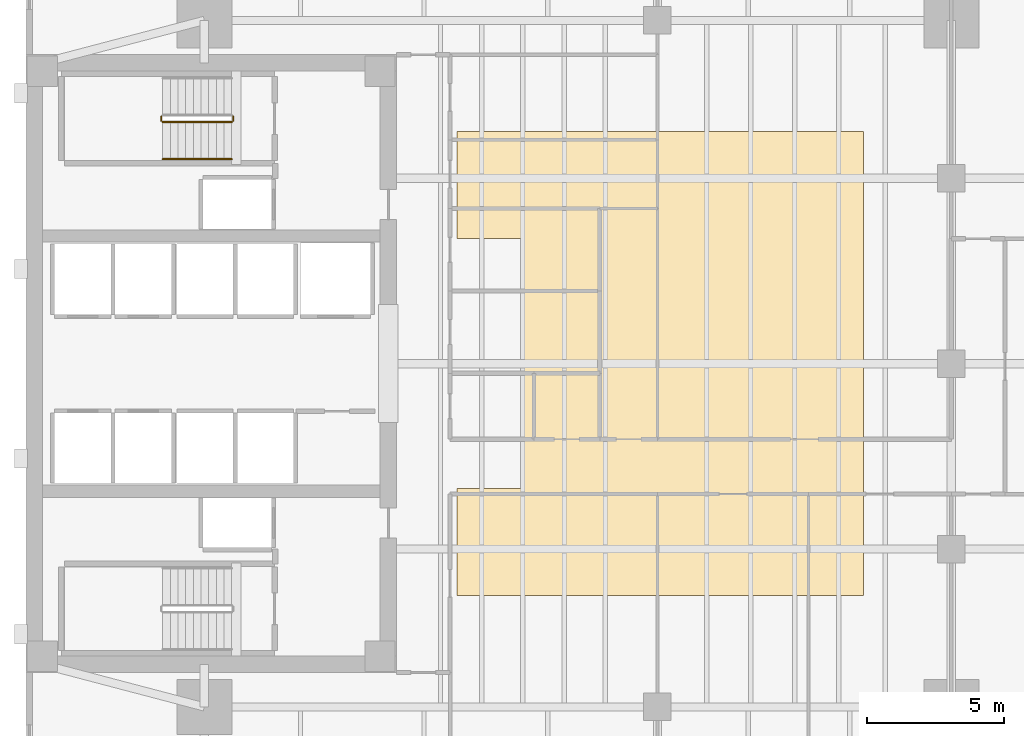
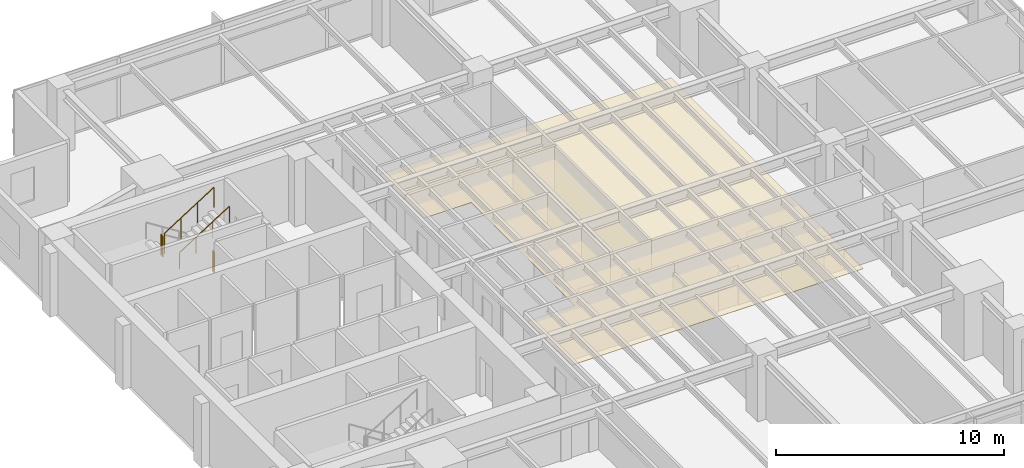
# One storey, part 13 of 15: 4 railings, 1 covering.
"""IFC4 building model written with IfcOpenShell, lengths in metres."""

from ifc_helpers import new_model, si_unit, direction, frame, origin, origin_2d, place, context, subcontext, project, spatial, polyline, circle, outline, extrude, material, layer, layer_set, type_object, element, save


model = new_model("IFC4")

# Units and contexts
model_context = context("Model", 3, precision=1e-05, world=origin(), true_north=direction((0.0, 1.0)))
body_context = subcontext(model_context, "Body", "Model", "MODEL_VIEW")
ifc_project = project(units=[si_unit("LENGTHUNIT", "METRE"), si_unit("AREAUNIT", "SQUARE_METRE"), si_unit("VOLUMEUNIT", "CUBIC_METRE"), si_unit("PLANEANGLEUNIT", "RADIAN"), si_unit("MASSUNIT", "GRAM", prefix="KILO")], contexts=[model_context])

# Site, building, storey
site_placement = place(None, origin())
site = spatial("IfcSite", under=ifc_project, at=site_placement, CompositionType="ELEMENT")
building_placement = place(site_placement, origin())
building = spatial("IfcBuilding", under=site, at=building_placement, Name="Kinhvarn Gate Tower", CompositionType="ELEMENT")
storey_placement = place(building_placement, frame((0.0, 0.0, 109.35009765625)))
storey = spatial("IfcBuildingStorey", under=building, at=storey_placement, Name="L28", CompositionType="ELEMENT", Elevation=109.35009765625)

# Covering
ifc_material_1 = material(Name="Mineral-fibre acoustic ceiling tile")
ifc_layer = layer(ifc_material_1, 0.02001953125)
ifc_layer_set = layer_set([ifc_layer], Name="Mineral-fibre acoustic ceiling tile")
covering_type = type_object("IfcCoveringType", Name="COV-CEIL-20", PredefinedType="CEILING", material=ifc_layer_set)
covering_placement = place(storey_placement, frame((0.0, 0.0, 2.64990234375)))
element("IfcCovering", 1, at=covering_placement, inside=storey, type_object=covering_type, Name="Suspended Acoustic Ceiling Tile (L28-1)", PredefinedType="CEILING", context=body_context, shape_type="SweptSolid", body=[
    extrude(outline(polyline([(35.0, 33.699951171875), (35.0, 16.800048828125), (20.199951171875, 16.800048828125), (20.199951171875, 20.699951171875), (22.60009765625, 20.699951171875), (22.60009765625, 29.800048828125), (20.199951171875, 29.800048828125), (20.199951171875, 33.699951171875), (35.0, 33.699951171875)])), origin(), (0.0, 0.0, 1.0), 0.02001953125),
])

# Railings
ifc_material_2 = material(Name="Steel S355", Category="steel")
railing_type_1 = type_object("IfcRailingType", Name="RL-ST-GRD", PredefinedType="BALUSTRADE", material=ifc_material_2)
railing_1_placement = place(storey_placement, frame((9.429931640625, 34.25, 1.77490234375)))
element("IfcRailing", 2, at=railing_1_placement, inside=storey, type_object=railing_type_1, Name="L28 ST2 stair guard 2", PredefinedType="BALUSTRADE", context=body_context, shape_type="SweptSolid", body=[
    extrude(circle(Radius=0.02392578125, at=origin_2d()), frame((0.0, 0.0, 1.076171875), z_axis=(0.0, -1.0, 0.0), x_axis=(1.0, 0.0, 0.0)), (0.0, 0.0, 1.0), 0.14990234375),
    extrude(circle(Radius=0.02099609375, at=origin_2d()), origin(), (0.0, 0.0, 1.0), 1.052001953125),
    extrude(circle(Radius=0.02099609375, at=origin_2d()), frame((0.0, -0.14990234375, 0.0)), (0.0, 0.0, 1.0), 1.052001953125),
])
railing_2_placement = place(storey_placement, frame((9.47998046875, 34.050048828125, 1.952392578125)))
element("IfcRailing", 3, at=railing_2_placement, inside=storey, type_object=railing_type_1, Name="L28 ST2 stair guard 3", PredefinedType="BALUSTRADE", context=body_context, shape_type="SweptSolid", body=[
    extrude(circle(Radius=0.02392578125, at=origin_2d()), frame((0.0, 0.0, 1.076171875), z_axis=(0.84460694969, 0.0, 0.535386869969), x_axis=(0.0, 1.0, 0.0)), (0.0, 0.0, 1.0), 2.983642578125),
    extrude(circle(Radius=0.02099609375, at=origin_2d()), origin(), (0.0, 0.0, 1.0), 1.052001953125),
    extrude(circle(Radius=0.02099609375, at=origin_2d()), frame((0.840087890625, 0.0, 0.532470703125)), (0.0, 0.0, 1.0), 1.052001953125),
    extrude(circle(Radius=0.02099609375, at=origin_2d()), frame((1.679931640625, 0.0, 1.06494140625)), (0.0, 0.0, 1.0), 1.052001953125),
    extrude(circle(Radius=0.02099609375, at=origin_2d()), frame((2.52001953125, 0.0, 1.597412109375)), (0.0, 0.0, 1.0), 1.052001953125),
])
railing_3_placement = place(storey_placement, frame((12.050048828125, 34.25, 0.0)))
element("IfcRailing", 4, at=railing_3_placement, inside=storey, type_object=railing_type_1, Name="L28 ST2 stair guard 4", PredefinedType="BALUSTRADE", context=body_context, shape_type="SweptSolid", body=[
    extrude(circle(Radius=0.02392578125, at=origin_2d()), frame((0.0, 0.0, 1.076171875), z_axis=(0.0, -1.0, 0.0), x_axis=(1.0, 0.0, 0.0)), (0.0, 0.0, 1.0), 0.14990234375),
    extrude(circle(Radius=0.02099609375, at=origin_2d()), origin(), (0.0, 0.0, 1.0), 1.052001953125),
    extrude(circle(Radius=0.02099609375, at=origin_2d()), frame((0.0, -0.14990234375, 0.0)), (0.0, 0.0, 1.0), 1.052001953125),
])
railing_type_2 = type_object("IfcRailingType", Name="RL-ST-HND", PredefinedType="HANDRAIL", material=ifc_material_2)
railing_4_placement = place(storey_placement, frame((9.47998046875, 32.699951171875, 1.952392578125)))
element("IfcRailing", 5, at=railing_4_placement, inside=storey, type_object=railing_type_2, Name="L28 ST2 stair handrail 2", PredefinedType="HANDRAIL", context=body_context, shape_type="SweptSolid", body=[
    extrude(circle(Radius=0.02392578125, at=origin_2d()), frame((0.0, 0.0, 0.8759765625), z_axis=(0.84460694969, 0.0, 0.535386869969), x_axis=(0.0, 1.0, 0.0)), (0.0, 0.0, 1.0), 2.983642578125),
    extrude(circle(Radius=0.02099609375, at=origin_2d()), origin(), (0.0, 0.0, 1.0), 0.851806640625),
    extrude(circle(Radius=0.02099609375, at=origin_2d()), frame((0.840087890625, 0.0, 0.532470703125)), (0.0, 0.0, 1.0), 0.851806640625),
    extrude(circle(Radius=0.02099609375, at=origin_2d()), frame((1.679931640625, 0.0, 1.06494140625)), (0.0, 0.0, 1.0), 0.851806640625),
    extrude(circle(Radius=0.02099609375, at=origin_2d()), frame((2.52001953125, 0.0, 1.597412109375)), (0.0, 0.0, 1.0), 0.851806640625),
])

save(model, "model.ifc")
